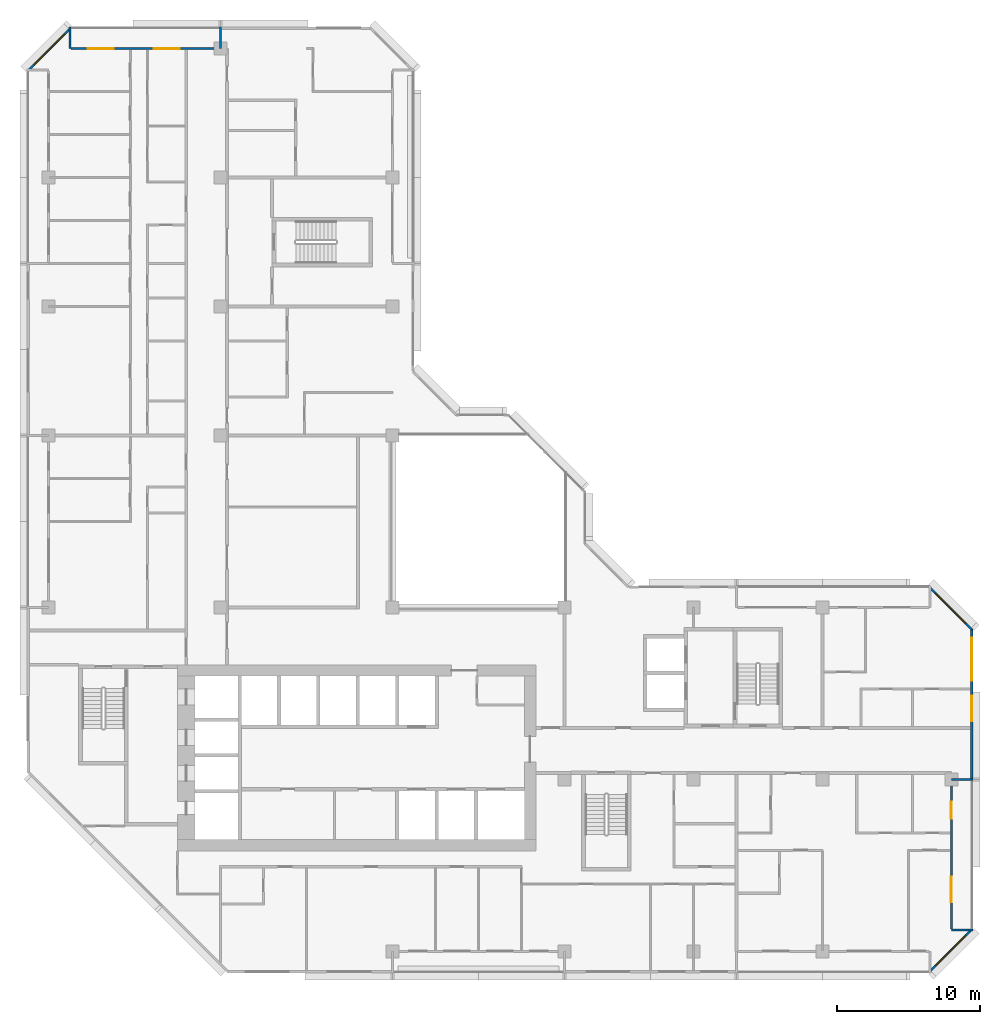
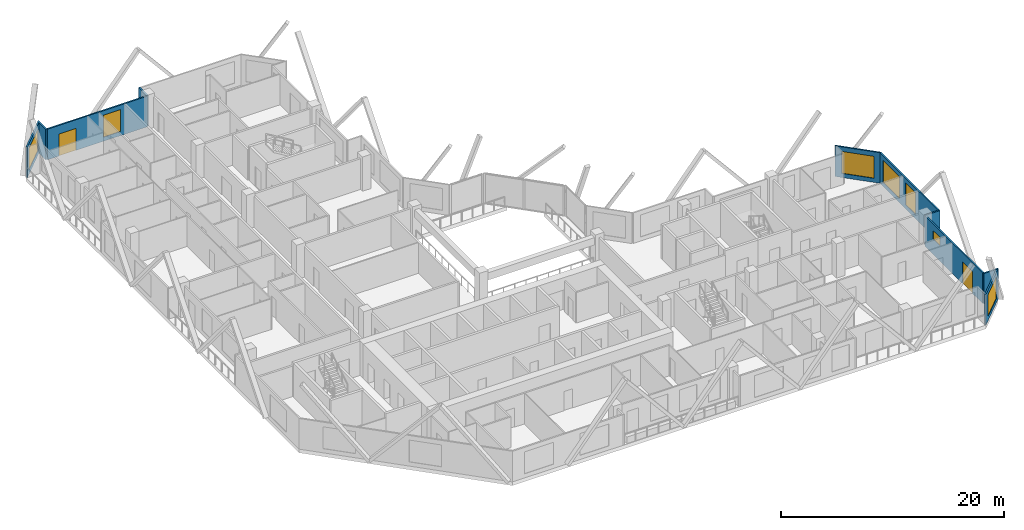
# One storey, part 12 of 15: 10 walls, 7 windows, 2 doors, 9 openings.
"""IFC4 building model written with IfcOpenShell, lengths in metres."""

import ifcopenshell
import ifcopenshell.guid

model = None  # the IFC model being written
_history = None  # IfcOwnerHistory: only IFC2X3 demands one
_inside = {}  # id of a spatial element -> (the spatial element, [elements in it])
_under = {}  # id of a project, library or spatial element -> (it, [spatial elements below it])
_declared = {}  # id of a project -> (the project, [libraries it declares])
_typed = {}  # id of a type object -> (the type object, [elements of that type])
_made_of = {}  # id of a material, layer set ... -> (it, [elements and type objects made of it])


def new_model(schema):
    """Start an empty IFC model of exactly this schema.

    Asked for "IFC4X3", IfcOpenShell would pick the latest addendum, in which some entities
    have other attributes; the version numbers below select the first issue.
    IFC2X3 requires an IfcOwnerHistory on every rooted entity: one is made here for all.
    """
    global model, _history
    if schema == "IFC4X3":
        model = ifcopenshell.file(schema_version=(4, 3, 0, 0))
    else:
        model = ifcopenshell.file(schema=schema)
    _inside.clear()
    _under.clear()
    _declared.clear()
    _typed.clear()
    _made_of.clear()
    _history = None
    if model.schema == "IFC2X3":
        org = make("IfcOrganization", Name="unknown")
        user = make(
            "IfcPersonAndOrganization",
            ThePerson=make("IfcPerson", FamilyName="unknown"),
            TheOrganization=org,
        )
        app = make(
            "IfcApplication",
            ApplicationDeveloper=org,
            Version="unknown",
            ApplicationFullName="unknown",
            ApplicationIdentifier="unknown",
        )
        _history = make(
            "IfcOwnerHistory",
            OwningUser=user,
            OwningApplication=app,
            ChangeAction="ADDED",
            CreationDate=0,
        )
    return model


def make(cls, **values):
    """One entity of the class cls with the attributes given. An attribute that is None is left unset."""
    return model.create_entity(
        cls, **{name: value for name, value in values.items() if value is not None}
    )


def rooted(cls, **values):
    """An entity with a GlobalId (a new one), such as an element, a storey or a relation."""
    return make(cls, GlobalId=ifcopenshell.guid.new(), OwnerHistory=_history, **values)


def si_unit(unit_type, name, prefix=None):
    """IfcSIUnit, for example si_unit("LENGTHUNIT", "METRE", prefix="MILLI")."""
    return make("IfcSIUnit", UnitType=unit_type, Prefix=prefix, Name=name)


def assignment(units):
    """IfcUnitAssignment: the units of a project."""
    return None if units is None else make("IfcUnitAssignment", Units=units)


def point(xyz):
    """IfcCartesianPoint."""
    return None if xyz is None else make("IfcCartesianPoint", Coordinates=xyz)


def direction(xyz):
    """IfcDirection."""
    return None if xyz is None else make("IfcDirection", DirectionRatios=xyz)


def frame(location, z_axis=None, x_axis=None):
    """IfcAxis2Placement3D, a coordinate frame: its origin and axes. An axis left out is left unset."""
    return make(
        "IfcAxis2Placement3D",
        Location=point(location),
        Axis=direction(z_axis),
        RefDirection=direction(x_axis),
    )


def frame_2d(location, x_axis=None):
    """IfcAxis2Placement2D, a coordinate frame in the plane: its origin and x axis."""
    return make(
        "IfcAxis2Placement2D", Location=point(location), RefDirection=direction(x_axis)
    )


def origin():
    """The frame at (0, 0, 0) with its axes left unset."""
    return frame((0.0, 0.0, 0.0))


def place(relative_to, where):
    """IfcLocalPlacement: puts the frame where relative to a parent placement (None: the world)."""
    return make(
        "IfcLocalPlacement", PlacementRelTo=relative_to, RelativePlacement=where
    )


def context(
    kind, dimensions, precision=None, world=None, true_north=None, identifier=None
):
    """IfcGeometricRepresentationContext, for example the 3D "Model" context."""
    return make(
        "IfcGeometricRepresentationContext",
        ContextIdentifier=identifier,
        ContextType=kind,
        CoordinateSpaceDimension=dimensions,
        Precision=precision,
        WorldCoordinateSystem=world,
        TrueNorth=true_north,
    )


def subcontext(parent, identifier, kind, view, scale=None):
    """IfcGeometricRepresentationSubContext, for example "Body" below "Model"."""
    return make(
        "IfcGeometricRepresentationSubContext",
        ContextIdentifier=identifier,
        ContextType=kind,
        ParentContext=parent,
        TargetScale=scale,
        TargetView=view,
    )


def project(units=None, contexts=None):
    """IfcProject with its units and contexts."""
    return rooted(
        "IfcProject",
        Name="project",
        RepresentationContexts=contexts,
        UnitsInContext=assignment(units),
    )


def spatial(cls, under=None, at=None, **own):
    """A site, building, storey or space (cls), placed at a placement, below another one or the project."""
    s = rooted(cls, ObjectPlacement=at, **own)
    if under is not None:
        _under.setdefault(under.id(), (under, []))[1].append(s)
    return s


def profile(cls, at=None, kind="AREA", **sizes):
    """A parametric profile (cls). Its sizes go by their IFC names, for example OverallWidth=200.0."""
    return make(cls, ProfileType=kind, Position=at, **sizes)


def rectangle(**sizes):
    """IfcRectangleProfileDef."""
    return profile("IfcRectangleProfileDef", **sizes)


def extrude(swept, where, along, depth):
    """IfcExtrudedAreaSolid: the profile swept, set in the frame where, extruded along a direction by depth."""
    return make(
        "IfcExtrudedAreaSolid",
        SweptArea=swept,
        Position=where,
        ExtrudedDirection=direction(along),
        Depth=depth,
    )


def shape(context_of_items, identifier, shape_type, items):
    """IfcShapeRepresentation: the items that make up one representation, for example the "Body"."""
    return make(
        "IfcShapeRepresentation",
        ContextOfItems=context_of_items,
        RepresentationIdentifier=identifier,
        RepresentationType=shape_type,
        Items=items,
    )


def material(Name=None, Category=None):
    """IfcMaterial."""
    return make("IfcMaterial", Name=Name, Category=Category)


def layer(
    of_material, thickness, ventilated=None, Name=None, Category=None, Priority=None
):
    """IfcMaterialLayer: one layer of a wall or slab, of a material (None: an air gap)."""
    return make(
        "IfcMaterialLayer",
        Material=of_material,
        LayerThickness=thickness,
        IsVentilated=ventilated,
        Name=Name,
        Category=Category,
        Priority=Priority,
    )


def layer_set(layers, Name=None):
    """IfcMaterialLayerSet."""
    return make("IfcMaterialLayerSet", MaterialLayers=layers, LayerSetName=Name)


def made_of(thing, what):
    """Note that an element or type object is made of a material, layer set ...; save() writes the relation."""
    if what is not None:
        _made_of.setdefault(what.id(), (what, []))[1].append(thing)
    return thing


def type_object(cls, material=None, **own):
    """A type object (cls), such as IfcWallType, which elements share."""
    return made_of(rooted(cls, **own), material)


def element(
    cls,
    number,
    at=None,
    inside=None,
    cuts=None,
    type_object=None,
    material=None,
    context=None,
    identifier="Body",
    shape_type=None,
    held_by="IfcProductDefinitionShape",
    body=None,
    shapes=None,
    **own,
):
    """One element of the class cls, such as IfcWall. Its Tag is "e" and its number.

    at: its placement. inside: the storey or other place that contains it. cuts: it is an
    opening in that element (IfcRelVoidsElement). A single representation is given by context,
    identifier, shape_type and body (its items); several are given by shapes. held_by: the class
    of the entity that holds the representations. save() writes the other relations.
    """
    e = rooted(cls, Tag="e%d" % number, ObjectPlacement=at, **own)
    if body is not None:
        shapes = [shape(context, identifier, shape_type, body)]
    if shapes is not None:
        e.Representation = make(held_by, Representations=shapes)
    if inside is not None:
        _inside.setdefault(inside.id(), (inside, []))[1].append(e)
    if cuts is not None:
        rooted(
            "IfcRelVoidsElement", RelatingBuildingElement=cuts, RelatedOpeningElement=e
        )
    if type_object is not None:
        _typed.setdefault(type_object.id(), (type_object, []))[1].append(e)
    return made_of(e, material)


def fill(opening, filler):
    """IfcRelFillsElement: the door or window that sits in an opening."""
    return rooted(
        "IfcRelFillsElement",
        RelatingOpeningElement=opening,
        RelatedBuildingElement=filler,
    )


def aggregate(whole, parts):
    """IfcRelAggregates: a whole, such as a stair, and the parts it consists of."""
    return rooted("IfcRelAggregates", RelatingObject=whole, RelatedObjects=parts)


def save(model, path):
    """Write the relations noted so far, then the file.

    IfcRelAggregates (storeys below a building ...), IfcRelContainedInSpatialStructure (elements
    in a storey), IfcRelDefinesByType, IfcRelAssociatesMaterial and IfcRelDeclares: one each for
    every whole, place, type object, material and project.
    """
    for whole, parts in _under.values():
        aggregate(whole, parts)
    for where, things in _inside.values():
        rooted(
            "IfcRelContainedInSpatialStructure",
            RelatedElements=things,
            RelatingStructure=where,
        )
    for kind, things in _typed.values():
        rooted("IfcRelDefinesByType", RelatedObjects=things, RelatingType=kind)
    for what, things in _made_of.values():
        rooted("IfcRelAssociatesMaterial", RelatedObjects=things, RelatingMaterial=what)
    for by, libraries in _declared.values():
        rooted("IfcRelDeclares", RelatingContext=by, RelatedDefinitions=libraries)
    model.write(path)


model = new_model("IFC4")

# Units and contexts
model_context = context("Model", 3, precision=1e-05, world=origin(), true_north=direction((0.0, 1.0)))
body_context = subcontext(model_context, "Body", "Model", "MODEL_VIEW")
ifc_project = project(units=[si_unit("LENGTHUNIT", "METRE"), si_unit("AREAUNIT", "SQUARE_METRE"), si_unit("VOLUMEUNIT", "CUBIC_METRE"), si_unit("PLANEANGLEUNIT", "RADIAN"), si_unit("MASSUNIT", "GRAM", prefix="KILO")], contexts=[model_context])

# Site, building, storey
site_placement = place(None, origin())
site = spatial("IfcSite", under=ifc_project, at=site_placement, CompositionType="ELEMENT")
building_placement = place(site_placement, origin())
building = spatial("IfcBuilding", under=site, at=building_placement, Name="Chenar Terraces", CompositionType="ELEMENT")
storey_placement = place(building_placement, frame((0.0, 0.0, 187.39990234375)))
storey = spatial("IfcBuildingStorey", under=building, at=storey_placement, Name="L43", CompositionType="ELEMENT", Elevation=187.39990234375)

# Wall, openings, windows
ifc_material_1 = material(Name="Aluminium framed glazing", Category="aluminium")
ifc_layer_1 = layer(ifc_material_1, 0.14990234375)
ifc_layer_set_1 = layer_set([ifc_layer_1], Name="Aluminium framed glazing")
wall_type_1 = type_object("IfcWallType", Name="Glazed flush facade wall 150", PredefinedType="SOLIDWALL", material=ifc_layer_set_1)
wall_1_placement = place(storey_placement, frame((64.425048828125, 12.074951171875, 0.0), z_axis=(0.0, 0.0, 1.0), x_axis=(0.0, 1.0, 0.0)))
wall_1 = element("IfcWall", 1, at=wall_1_placement, inside=storey, type_object=wall_type_1, Name="Glazed flush facade wall", PredefinedType="SOLIDWALL", context=body_context, shape_type="SweptSolid", body=[
    extrude(rectangle(XDim=10.425048828125, YDim=0.14990234375, at=frame_2d((5.21240234375, 0.0))), origin(), (0.0, 0.0, 1.0), 3.35009765625),
])
opening_1_placement = place(wall_1_placement, frame((3.97509765625, 0.0, 0.449951171875)))
opening_1 = element("IfcOpeningElement", 2, at=opening_1_placement, cuts=wall_1, Name="Opening W180x240", PredefinedType="OPENING", context=body_context, shape_type="SweptSolid", body=[
    extrude(rectangle(XDim=1.800048828125, YDim=2.39990234375, at=frame_2d((0.89990234375, 1.199951171875))), frame((0.0, 0.0849609375, 0.0), z_axis=(0.0, -1.0, 0.0), x_axis=(1.0, 0.0, 0.0)), (0.0, 0.0, 1.0), 0.169921875),
])
opening_2_placement = place(wall_1_placement, frame((6.824951171875, 0.0, 0.449951171875)))
opening_2 = element("IfcOpeningElement", 3, at=opening_2_placement, cuts=wall_1, Name="Opening W300x240", PredefinedType="OPENING", context=body_context, shape_type="SweptSolid", body=[
    extrude(rectangle(XDim=3.0, YDim=2.39990234375, at=frame_2d((1.5, 1.199951171875))), frame((0.0, 0.0849609375, 0.0), z_axis=(0.0, -1.0, 0.0), x_axis=(1.0, 0.0, 0.0)), (0.0, 0.0, 1.0), 0.169921875),
])
ifc_material_2 = material(Name="Low emissivity double glazing, aluminium frame", Category="aluminium")
window_type_1 = type_object("IfcWindowType", Name="Fixed light 1800 x 2400", PartitioningType="SINGLE_PANEL", PredefinedType="WINDOW", material=ifc_material_2)
window_1_placement = place(opening_1_placement, origin())
window_1 = element("IfcWindow", 4, at=window_1_placement, inside=storey, type_object=window_type_1, Name="Window", OverallHeight=2.39990234375, OverallWidth=1.800048828125, PartitioningType="SINGLE_PANEL", PredefinedType="WINDOW", context=body_context, shape_type="SweptSolid", body=[
    extrude(rectangle(XDim=1.800048828125, YDim=2.39990234375, at=frame_2d((0.89990234375, 1.199951171875))), frame((0.0, 0.030029296875, 0.0), z_axis=(0.0, -1.0, 0.0), x_axis=(1.0, 0.0, 0.0)), (0.0, 0.0, 1.0), 0.06005859375),
])
fill(opening_1, window_1)
ifc_material_3 = material(Name="Low emissivity double glazing, aluminium frame", Category="aluminium")
window_type_2 = type_object("IfcWindowType", Name="Fixed light 3000 x 2400", PartitioningType="SINGLE_PANEL", PredefinedType="WINDOW", material=ifc_material_3)
window_2_placement = place(opening_2_placement, origin())
window_2 = element("IfcWindow", 5, at=window_2_placement, inside=storey, type_object=window_type_2, Name="Window", OverallHeight=2.39990234375, OverallWidth=3.0, PartitioningType="SINGLE_PANEL", PredefinedType="WINDOW", context=body_context, shape_type="SweptSolid", body=[
    extrude(rectangle(XDim=3.0, YDim=2.39990234375, at=frame_2d((1.5, 1.199951171875))), frame((0.0, 0.030029296875, 0.0), z_axis=(0.0, -1.0, 0.0), x_axis=(1.0, 0.0, 0.0)), (0.0, 0.0, 1.0), 0.06005859375),
])
fill(opening_2, window_2)

# Wall, openings, window, door
ifc_material_4 = material(Name="Aluminium framed glazing", Category="aluminium")
ifc_layer_2 = layer(ifc_material_4, 0.14990234375)
ifc_layer_set_2 = layer_set([ifc_layer_2], Name="Aluminium framed glazing")
wall_type_2 = type_object("IfcWallType", Name="Glazed loggia back wall 150", PredefinedType="SOLIDWALL", material=ifc_layer_set_2)
wall_2_placement = place(storey_placement, frame((11.925048828125, 63.0, 0.0), z_axis=(0.0, 0.0, 1.0), x_axis=(-1.0, 0.0, 0.0)))
wall_2 = element("IfcWall", 6, at=wall_2_placement, inside=storey, type_object=wall_type_2, Name="Glazed loggia back wall", PredefinedType="SOLIDWALL", context=body_context, shape_type="SweptSolid", body=[
    extrude(rectangle(XDim=10.35009765625, YDim=0.14990234375, at=frame_2d((5.175048828125, 0.0))), origin(), (0.0, 0.0, 1.0), 3.35009765625),
])
opening_3_placement = place(wall_2_placement, frame((2.77490234375, 0.0, 0.449951171875)))
opening_3 = element("IfcOpeningElement", 7, at=opening_3_placement, cuts=wall_2, Name="Opening W180x240", PredefinedType="OPENING", context=body_context, shape_type="SweptSolid", body=[
    extrude(rectangle(XDim=1.800048828125, YDim=2.39990234375, at=frame_2d((0.89990234375, 1.199951171875))), frame((0.0, 0.0849609375, 0.0), z_axis=(0.0, -1.0, 0.0), x_axis=(1.0, 0.0, 0.0)), (0.0, 0.0, 1.0), 0.169921875),
])
opening_4_placement = place(wall_2_placement, frame((7.387451171875, 0.0, 0.0)))
opening_4 = element("IfcOpeningElement", 8, at=opening_4_placement, cuts=wall_2, Name="Opening DL43-G3", PredefinedType="OPENING", context=body_context, shape_type="SweptSolid", body=[
    extrude(rectangle(XDim=1.800048828125, YDim=2.39990234375, at=frame_2d((0.89990234375, 1.199951171875))), frame((0.0, 0.0849609375, 0.0), z_axis=(0.0, -1.0, 0.0), x_axis=(1.0, 0.0, 0.0)), (0.0, 0.0, 1.0), 0.169921875),
])
window_3_placement = place(opening_3_placement, origin())
window_3 = element("IfcWindow", 9, at=window_3_placement, inside=storey, type_object=window_type_1, Name="Window", OverallHeight=2.39990234375, OverallWidth=1.800048828125, PartitioningType="SINGLE_PANEL", PredefinedType="WINDOW", context=body_context, shape_type="SweptSolid", body=[
    extrude(rectangle(XDim=1.800048828125, YDim=2.39990234375, at=frame_2d((0.89990234375, 1.199951171875))), frame((0.0, 0.030029296875, 0.0), z_axis=(0.0, -1.0, 0.0), x_axis=(1.0, 0.0, 0.0)), (0.0, 0.0, 1.0), 0.06005859375),
])
fill(opening_3, window_3)
ifc_material_5 = material(Name="Low emissivity double glazing, aluminium frame", Category="aluminium")
door_type = type_object("IfcDoorType", Name="Loggia glazed double door 1800 x 2400", OperationType="DOUBLE_DOOR_SINGLE_SWING", PredefinedType="DOOR", material=ifc_material_5)
door_1_placement = place(opening_4_placement, frame((1.800048828125, 0.0, 0.0), z_axis=(0.0, 0.0, 1.0), x_axis=(-1.0, 0.0, 0.0)))
door_1 = element("IfcDoor", 10, at=door_1_placement, inside=storey, type_object=door_type, Name="Loggia glazed door", OperationType="DOUBLE_DOOR_SINGLE_SWING", OverallHeight=2.39990234375, OverallWidth=1.800048828125, PredefinedType="DOOR", context=body_context, shape_type="SweptSolid", body=[
    extrude(rectangle(XDim=1.800048828125, YDim=2.39990234375, at=frame_2d((0.89990234375, 1.199951171875))), frame((0.0, 0.02490234375, 0.0), z_axis=(0.0, -1.0, 0.0), x_axis=(1.0, 0.0, 0.0)), (0.0, 0.0, 1.0), 0.050048828125),
])
fill(opening_4, door_1)

wall_3_placement = place(storey_placement, frame((63.0, 1.574951171875, 0.0), z_axis=(0.0, 0.0, 1.0), x_axis=(0.0, 1.0, 0.0)))
wall_3 = element("IfcWall", 11, at=wall_3_placement, inside=storey, type_object=wall_type_2, Name="Glazed loggia back wall", PredefinedType="SOLIDWALL", context=body_context, shape_type="SweptSolid", body=[
    extrude(rectangle(XDim=10.35009765625, YDim=0.14990234375, at=frame_2d((5.175048828125, 0.0))), origin(), (0.0, 0.0, 1.0), 3.35009765625),
])
opening_5_placement = place(wall_3_placement, frame((1.83740234375, 0.0, 0.0)))
opening_5 = element("IfcOpeningElement", 12, at=opening_5_placement, cuts=wall_3, Name="Opening DL43-G8", PredefinedType="OPENING", context=body_context, shape_type="SweptSolid", body=[
    extrude(rectangle(XDim=1.800048828125, YDim=2.39990234375, at=frame_2d((0.89990234375, 1.199951171875))), frame((0.0, 0.0849609375, 0.0), z_axis=(0.0, -1.0, 0.0), x_axis=(1.0, 0.0, 0.0)), (0.0, 0.0, 1.0), 0.169921875),
])
opening_6_placement = place(wall_3_placement, frame((7.675048828125, 0.0, 1.699951171875)))
opening_6 = element("IfcOpeningElement", 13, at=opening_6_placement, cuts=wall_3, Name="Opening W120x90", PredefinedType="OPENING", context=body_context, shape_type="SweptSolid", body=[
    extrude(rectangle(XDim=1.199951171875, YDim=0.89990234375, at=frame_2d((0.60009765625, 0.449951171875))), frame((0.0, 0.0849609375, 0.0), z_axis=(0.0, -1.0, 0.0), x_axis=(1.0, 0.0, 0.0)), (0.0, 0.0, 1.0), 0.169921875),
])
ifc_material_6 = material(Name="Low emissivity double glazing, aluminium frame", Category="aluminium")
window_type_3 = type_object("IfcWindowType", Name="Fixed light 1200 x 900", PartitioningType="SINGLE_PANEL", PredefinedType="WINDOW", material=ifc_material_6)
window_4_placement = place(opening_6_placement, origin())
window_4 = element("IfcWindow", 14, at=window_4_placement, inside=storey, type_object=window_type_3, Name="Window", OverallHeight=0.89990234375, OverallWidth=1.199951171875, PartitioningType="SINGLE_PANEL", PredefinedType="WINDOW", context=body_context, shape_type="SweptSolid", body=[
    extrude(rectangle(XDim=1.199951171875, YDim=0.89990234375, at=frame_2d((0.60009765625, 0.449951171875))), frame((0.0, 0.030029296875, 0.0), z_axis=(0.0, -1.0, 0.0), x_axis=(1.0, 0.0, 0.0)), (0.0, 0.0, 1.0), 0.06005859375),
])
fill(opening_6, window_4)
door_2_placement = place(opening_5_placement, frame((1.800048828125, 0.0, 0.0), z_axis=(0.0, 0.0, 1.0), x_axis=(-1.0, 0.0, 0.0)))
door_2 = element("IfcDoor", 15, at=door_2_placement, inside=storey, type_object=door_type, Name="Loggia glazed door", OperationType="DOUBLE_DOOR_SINGLE_SWING", OverallHeight=2.39990234375, OverallWidth=1.800048828125, PredefinedType="DOOR", context=body_context, shape_type="SweptSolid", body=[
    extrude(rectangle(XDim=1.800048828125, YDim=2.39990234375, at=frame_2d((0.89990234375, 1.199951171875))), frame((0.0, 0.02490234375, 0.0), z_axis=(0.0, -1.0, 0.0), x_axis=(1.0, 0.0, 0.0)), (0.0, 0.0, 1.0), 0.050048828125),
])
fill(opening_5, door_2)

# Walls
ifc_material_7 = material(Name="Terracotta cladding on insulated backing", Category="masonry")
ifc_layer_3 = layer(ifc_material_7, 0.14990234375)
ifc_layer_set_3 = layer_set([ifc_layer_3], Name="Terracotta cladding on insulated backing")
wall_type_3 = type_object("IfcWallType", Name="Loggia return wall 150", PredefinedType="SOLIDWALL", material=ifc_layer_set_3)
for number, where, z_axis, x_axis, name in (
    (16, (12.0, 64.5, 0.0), (0.0, 0.0, 1.0), (0.0, -1.0, 0.0), "Loggia return wall"),
    (17, (1.5, 64.5, 0.0), (0.0, 0.0, 1.0), (0.0, -1.0, 0.0), "Loggia return wall"),
    (18, (64.5, 1.5, 0.0), (0.0, 0.0, 1.0), (-1.0, 0.0, 0.0), "Loggia return wall"),
    (19, (64.5, 12.0, 0.0), (0.0, 0.0, 1.0), (-1.0, 0.0, 0.0), "Loggia return wall"),
):
    element("IfcWall", number, at=place(storey_placement, frame(where, z_axis=z_axis, x_axis=x_axis)), inside=storey, type_object=wall_type_3, Name=name, PredefinedType="SOLIDWALL", context=body_context, shape_type="SweptSolid", body=[
        extrude(rectangle(XDim=1.5, YDim=0.14990234375, at=frame_2d((0.75, 0.0))), origin(), (0.0, 0.0, 1.0), 3.35009765625),
    ])

# Wall, opening, window
ifc_material_8 = material(Name="Terracotta cladding on insulated backing", Category="masonry")
ifc_layer_4 = layer(ifc_material_8, 0.14990234375)
ifc_layer_set_4 = layer_set([ifc_layer_4], Name="Terracotta cladding on insulated backing")
wall_type_4 = type_object("IfcWallType", Name="Terracotta rainscreen wall 150", PredefinedType="SOLIDWALL", material=ifc_layer_set_4)
wall_4_placement = place(storey_placement, frame((1.552978515625, 64.447021484375, 0.0), z_axis=(0.0, 0.0, 1.0), x_axis=(-0.707106781187, -0.707106781187, 0.0)))
wall_4 = element("IfcWall", 20, at=wall_4_placement, inside=storey, type_object=wall_type_4, Name="Terracotta rainscreen wall", PredefinedType="SOLIDWALL", context=body_context, shape_type="SweptSolid", body=[
    extrude(rectangle(XDim=4.24267578125, YDim=0.14990234375, at=frame_2d((2.121337890625, 0.0))), origin(), (0.0, 0.0, 1.0), 3.35009765625),
])
opening_7_placement = place(wall_4_placement, frame((0.621337890625, 0.0, 0.449951171875)))
opening_7 = element("IfcOpeningElement", 21, at=opening_7_placement, cuts=wall_4, Name="Opening W300x240", PredefinedType="OPENING", context=body_context, shape_type="SweptSolid", body=[
    extrude(rectangle(XDim=3.0, YDim=2.39990234375, at=frame_2d((1.5, 1.199951171875))), frame((0.0, 0.0849609375, 0.0), z_axis=(0.0, -1.0, 0.0), x_axis=(1.0, 0.0, 0.0)), (0.0, 0.0, 1.0), 0.169921875),
])
window_5_placement = place(opening_7_placement, origin())
window_5 = element("IfcWindow", 22, at=window_5_placement, inside=storey, type_object=window_type_2, Name="Window", OverallHeight=2.39990234375, OverallWidth=3.0, PartitioningType="SINGLE_PANEL", PredefinedType="WINDOW", context=body_context, shape_type="SweptSolid", body=[
    extrude(rectangle(XDim=3.0, YDim=2.39990234375, at=frame_2d((1.5, 1.199951171875))), frame((0.0, 0.030029296875, 0.0), z_axis=(0.0, -1.0, 0.0), x_axis=(1.0, 0.0, 0.0)), (0.0, 0.0, 1.0), 0.06005859375),
])
fill(opening_7, window_5)

wall_5_placement = place(storey_placement, frame((61.447021484375, -1.447021484375, 0.0), z_axis=(0.0, 0.0, 1.0), x_axis=(0.707106781187, 0.707106781187, 0.0)))
wall_5 = element("IfcWall", 23, at=wall_5_placement, inside=storey, type_object=wall_type_4, Name="Terracotta rainscreen wall", PredefinedType="SOLIDWALL", context=body_context, shape_type="SweptSolid", body=[
    extrude(rectangle(XDim=4.24267578125, YDim=0.14990234375, at=frame_2d((2.121337890625, 0.0))), origin(), (0.0, 0.0, 1.0), 3.35009765625),
])
opening_8_placement = place(wall_5_placement, frame((0.621337890625, 0.0, 0.449951171875)))
opening_8 = element("IfcOpeningElement", 24, at=opening_8_placement, cuts=wall_5, Name="Opening W300x240", PredefinedType="OPENING", context=body_context, shape_type="SweptSolid", body=[
    extrude(rectangle(XDim=3.0, YDim=2.39990234375, at=frame_2d((1.5, 1.199951171875))), frame((0.0, 0.0849609375, 0.0), z_axis=(0.0, -1.0, 0.0), x_axis=(1.0, 0.0, 0.0)), (0.0, 0.0, 1.0), 0.169921875),
])
window_6_placement = place(opening_8_placement, origin())
window_6 = element("IfcWindow", 25, at=window_6_placement, inside=storey, type_object=window_type_2, Name="Window", OverallHeight=2.39990234375, OverallWidth=3.0, PartitioningType="SINGLE_PANEL", PredefinedType="WINDOW", context=body_context, shape_type="SweptSolid", body=[
    extrude(rectangle(XDim=3.0, YDim=2.39990234375, at=frame_2d((1.5, 1.199951171875))), frame((0.0, 0.030029296875, 0.0), z_axis=(0.0, -1.0, 0.0), x_axis=(1.0, 0.0, 0.0)), (0.0, 0.0, 1.0), 0.06005859375),
])
fill(opening_8, window_6)

wall_6_placement = place(storey_placement, frame((64.447021484375, 22.447021484375, 0.0), z_axis=(0.0, 0.0, 1.0), x_axis=(-0.707106781187, 0.707106781187, 0.0)))
wall_6 = element("IfcWall", 26, at=wall_6_placement, inside=storey, type_object=wall_type_4, Name="Terracotta rainscreen wall", PredefinedType="SOLIDWALL", context=body_context, shape_type="SweptSolid", body=[
    extrude(rectangle(XDim=4.24267578125, YDim=0.14990234375, at=frame_2d((2.121337890625, 0.0))), origin(), (0.0, 0.0, 1.0), 3.35009765625),
])
opening_9_placement = place(wall_6_placement, frame((0.621337890625, 0.0, 0.449951171875)))
opening_9 = element("IfcOpeningElement", 27, at=opening_9_placement, cuts=wall_6, Name="Opening W300x240", PredefinedType="OPENING", context=body_context, shape_type="SweptSolid", body=[
    extrude(rectangle(XDim=3.0, YDim=2.39990234375, at=frame_2d((1.5, 1.199951171875))), frame((0.0, 0.0849609375, 0.0), z_axis=(0.0, -1.0, 0.0), x_axis=(1.0, 0.0, 0.0)), (0.0, 0.0, 1.0), 0.169921875),
])
window_7_placement = place(opening_9_placement, origin())
window_7 = element("IfcWindow", 28, at=window_7_placement, inside=storey, type_object=window_type_2, Name="Window", OverallHeight=2.39990234375, OverallWidth=3.0, PartitioningType="SINGLE_PANEL", PredefinedType="WINDOW", context=body_context, shape_type="SweptSolid", body=[
    extrude(rectangle(XDim=3.0, YDim=2.39990234375, at=frame_2d((1.5, 1.199951171875))), frame((0.0, 0.030029296875, 0.0), z_axis=(0.0, -1.0, 0.0), x_axis=(1.0, 0.0, 0.0)), (0.0, 0.0, 1.0), 0.06005859375),
])
fill(opening_9, window_7)

save(model, "model.ifc")
